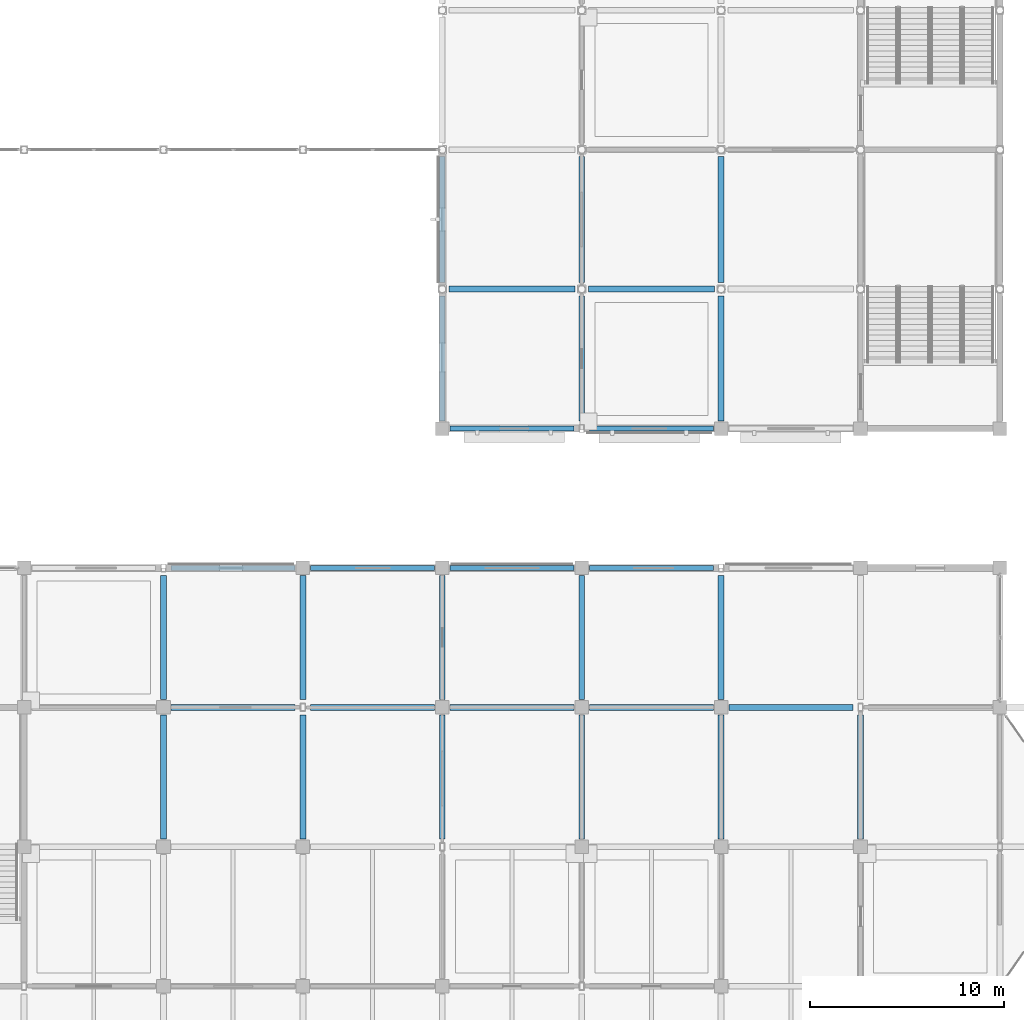
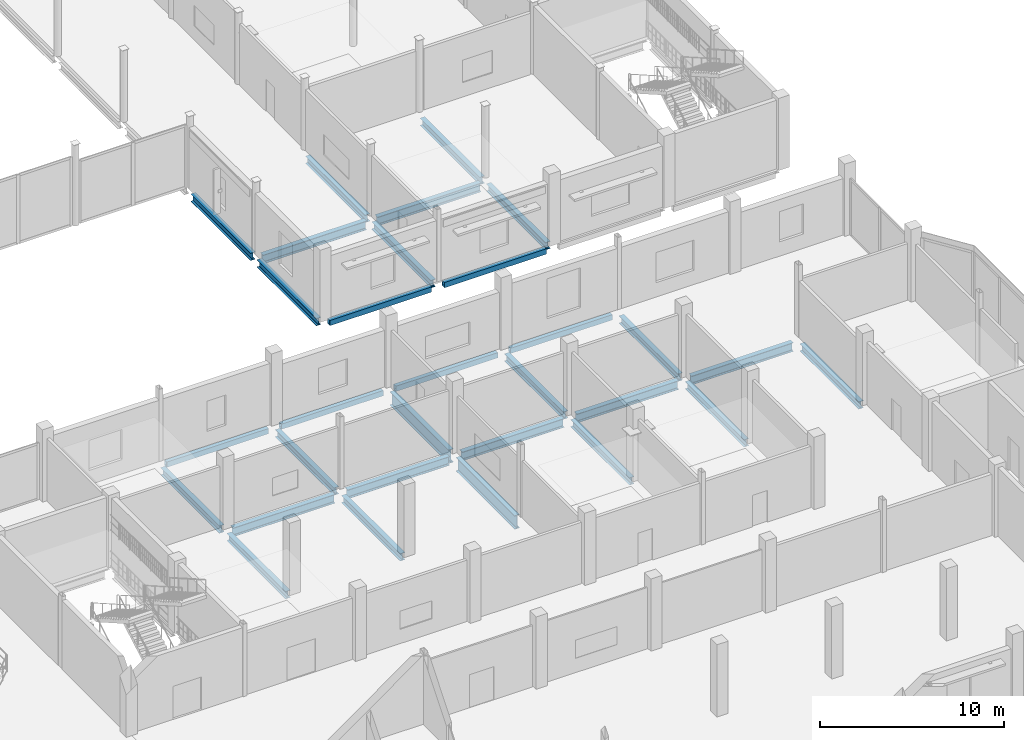
# One storey, part 71 of 120: 30 beams.
"""IFC4 building model written with IfcOpenShell, lengths in metres."""

from ifc_helpers import new_model, si_unit, direction, frame, origin, origin_2d, place, context, subcontext, project, spatial, hollow_rectangle, i_section, extrude, material, material_profile, profile_set, type_object, element, save


model = new_model("IFC4")

# Units and contexts
model_context = context("Model", 3, precision=1e-05, world=origin(), true_north=direction((0.0, 1.0)))
body_context = subcontext(model_context, "Body", "Model", "MODEL_VIEW")
ifc_project = project(units=[si_unit("LENGTHUNIT", "METRE"), si_unit("AREAUNIT", "SQUARE_METRE"), si_unit("VOLUMEUNIT", "CUBIC_METRE"), si_unit("PLANEANGLEUNIT", "RADIAN"), si_unit("MASSUNIT", "GRAM", prefix="KILO")], contexts=[model_context])

# Site, building, storey
site_placement = place(None, origin())
site = spatial("IfcSite", under=ifc_project, at=site_placement, CompositionType="ELEMENT")
building_placement = place(site_placement, origin())
building = spatial("IfcBuilding", under=site, at=building_placement, Name="Vesperath Aquatics Centre", CompositionType="ELEMENT")
storey_placement = place(building_placement, frame((0.0, 0.0, 10.199951171875)))
storey = spatial("IfcBuildingStorey", under=building, at=storey_placement, Name="L02", CompositionType="ELEMENT", Elevation=10.199951171875)

# Beams
ifc_material_1 = material(Name="Steel Q355D", Category="steel")
ifc_material_profile_1 = material_profile(ifc_material_1, i_section(OverallWidth=0.300048828125, OverallDepth=0.89990234375, WebThickness=0.01611328125, FlangeThickness=0.028076171875, FilletRadius=0.028076171875, at=origin_2d()), Name="HN 900x300x16x28")
ifc_profile_set_1 = profile_set([ifc_material_profile_1], Name="Steel Q355D")
beam_type_1 = type_object("IfcBeamType", Name="BM-G06", PredefinedType="BEAM", material=ifc_profile_set_1)
for number, where, z_axis, x_axis, name in (
    (1, (144.0, 29.199951171875, -0.7099609375), (0.0, 1.0, 0.0), (-1.0, 0.0, 0.0), "Floor Girder B06 L02 21 E-F"),
    (2, (144.0, 36.39990234375, -0.7099609375), (0.0, 1.0, 0.0), (-1.0, 0.0, 0.0), "Floor Girder B06 L02 21 F-G"),
):
    element("IfcBeam", number, at=place(storey_placement, frame(where, z_axis=z_axis, x_axis=x_axis)), inside=storey, type_object=beam_type_1, Name=name, PredefinedType="BEAM", context=body_context, shape_type="SweptSolid", body=[
        extrude(i_section(OverallWidth=0.300048828125, OverallDepth=0.89990234375, WebThickness=0.01611328125, FlangeThickness=0.028076171875, FilletRadius=0.028076171875, at=origin_2d()), origin(), (0.0, 0.0, 1.0), 6.400146484375),
    ])
ifc_material_2 = material(Name="Steel Q355C", Category="steel")
ifc_material_profile_2 = material_profile(ifc_material_2, i_section(OverallWidth=0.300048828125, OverallDepth=0.587890625, WebThickness=0.011962890625, FlangeThickness=0.02001953125, FilletRadius=0.028076171875, at=origin_2d()), Name="HM 588x300x12x20")
ifc_profile_set_2 = profile_set([ifc_material_profile_2], Name="Steel Q355C")
beam_type_2 = type_object("IfcBeamType", Name="BM-G09", PredefinedType="BEAM", material=ifc_profile_set_2)
beam_1_placement = place(storey_placement, frame((130.0, 36.0, -0.553955078125), z_axis=(1.0, 0.0, 0.0), x_axis=(0.0, 1.0, 0.0)))
element("IfcBeam", 3, at=beam_1_placement, inside=storey, type_object=beam_type_2, Name="Floor Girder B09 L02 F 19-20", PredefinedType="BEAM", context=body_context, shape_type="SweptSolid", body=[
    extrude(i_section(OverallWidth=0.300048828125, OverallDepth=0.587890625, WebThickness=0.011962890625, FlangeThickness=0.02001953125, FilletRadius=0.028076171875, at=origin_2d()), origin(), (0.0, 0.0, 1.0), 6.39990234375),
])
for number, where, z_axis, x_axis, name in (
    (4, (137.199951171875, 36.0, -0.553955078125), (1.0, 0.0, 0.0), (0.0, 1.0, 0.0), "Floor Girder B09 L02 F 20-21"),
    (5, (144.39990234375, 36.0, -0.553955078125), (1.0, 0.0, 0.0), (0.0, 1.0, 0.0), "Floor Girder B09 L02 F 21-22"),
):
    element("IfcBeam", number, at=place(storey_placement, frame(where, z_axis=z_axis, x_axis=x_axis)), inside=storey, type_object=beam_type_2, Name=name, PredefinedType="BEAM", context=body_context, shape_type="SweptSolid", body=[
        extrude(i_section(OverallWidth=0.300048828125, OverallDepth=0.587890625, WebThickness=0.011962890625, FlangeThickness=0.02001953125, FilletRadius=0.028076171875, at=origin_2d()), origin(), (0.0, 0.0, 1.0), 6.400146484375),
    ])
beam_2_placement = place(storey_placement, frame((144.35009765625, 57.60009765625, -0.553955078125), z_axis=(1.0, 0.0, 0.0), x_axis=(0.0, 1.0, 0.0)))
element("IfcBeam", 6, at=beam_2_placement, inside=storey, type_object=beam_type_2, Name="Floor Girder B09 L02 J 21-22", PredefinedType="BEAM", context=body_context, shape_type="SweptSolid", body=[
    extrude(i_section(OverallWidth=0.300048828125, OverallDepth=0.587890625, WebThickness=0.011962890625, FlangeThickness=0.02001953125, FilletRadius=0.028076171875, at=origin_2d()), origin(), (0.0, 0.0, 1.0), 6.5),
])
beam_3_placement = place(storey_placement, frame((151.60009765625, 36.0, -0.553955078125), z_axis=(1.0, 0.0, 0.0), x_axis=(0.0, 1.0, 0.0)))
element("IfcBeam", 7, at=beam_3_placement, inside=storey, type_object=beam_type_2, Name="Floor Girder B09 L02 F 22-23", PredefinedType="BEAM", context=body_context, shape_type="SweptSolid", body=[
    extrude(i_section(OverallWidth=0.300048828125, OverallDepth=0.587890625, WebThickness=0.011962890625, FlangeThickness=0.02001953125, FilletRadius=0.028076171875, at=origin_2d()), origin(), (0.0, 0.0, 1.0), 6.39990234375),
])
beam_4_placement = place(storey_placement, frame((151.550048828125, 57.60009765625, -0.553955078125), z_axis=(1.0, 0.0, 0.0), x_axis=(0.0, 1.0, 0.0)))
element("IfcBeam", 8, at=beam_4_placement, inside=storey, type_object=beam_type_2, Name="Floor Girder B09 L02 J 22-23", PredefinedType="BEAM", context=body_context, shape_type="SweptSolid", body=[
    extrude(i_section(OverallWidth=0.300048828125, OverallDepth=0.587890625, WebThickness=0.011962890625, FlangeThickness=0.02001953125, FilletRadius=0.028076171875, at=origin_2d()), origin(), (0.0, 0.0, 1.0), 6.5),
])
beam_5_placement = place(storey_placement, frame((158.800048828125, 36.0, -0.553955078125), z_axis=(1.0, 0.0, 0.0), x_axis=(0.0, 1.0, 0.0)))
element("IfcBeam", 9, at=beam_5_placement, inside=storey, type_object=beam_type_2, Name="Floor Girder B09 L02 F 23-24", PredefinedType="BEAM", context=body_context, shape_type="SweptSolid", body=[
    extrude(i_section(OverallWidth=0.300048828125, OverallDepth=0.587890625, WebThickness=0.011962890625, FlangeThickness=0.02001953125, FilletRadius=0.028076171875, at=origin_2d()), origin(), (0.0, 0.0, 1.0), 6.39990234375),
])
ifc_material_profile_3 = material_profile(ifc_material_2, i_section(OverallWidth=0.300048828125, OverallDepth=0.488037109375, WebThickness=0.010986328125, FlangeThickness=0.01806640625, FilletRadius=0.02587890625, at=origin_2d()), Name="HM 488x300x11x18")
ifc_profile_set_3 = profile_set([ifc_material_profile_3], Name="Steel Q355C")
beam_type_3 = type_object("IfcBeamType", Name="BM-G10", PredefinedType="BEAM", material=ifc_profile_set_3)
for number, where, z_axis, x_axis, name in (
    (10, (129.60009765625, 29.199951171875, -0.50390625), (0.0, 1.0, 0.0), (-1.0, 0.0, 0.0), "Floor Girder B10 L02 19 E-F"),
    (11, (129.60009765625, 36.39990234375, -0.50390625), (0.0, 1.0, 0.0), (-1.0, 0.0, 0.0), "Floor Girder B10 L02 19 F-G"),
    (12, (136.800048828125, 29.199951171875, -0.50390625), (0.0, 1.0, 0.0), (-1.0, 0.0, 0.0), "Floor Girder B10 L02 20 E-F"),
    (13, (136.800048828125, 36.39990234375, -0.50390625), (0.0, 1.0, 0.0), (-1.0, 0.0, 0.0), "Floor Girder B10 L02 20 F-G"),
):
    element("IfcBeam", number, at=place(storey_placement, frame(where, z_axis=z_axis, x_axis=x_axis)), inside=storey, type_object=beam_type_3, Name=name, PredefinedType="BEAM", context=body_context, shape_type="SweptSolid", body=[
        extrude(i_section(OverallWidth=0.300048828125, OverallDepth=0.488037109375, WebThickness=0.010986328125, FlangeThickness=0.01806640625, FilletRadius=0.02587890625, at=origin_2d()), origin(), (0.0, 0.0, 1.0), 6.400146484375),
    ])
beam_6_placement = place(storey_placement, frame((144.0, 50.800048828125, -0.50390625), z_axis=(0.0, 1.0, 0.0), x_axis=(-1.0, 0.0, 0.0)))
element("IfcBeam", 14, at=beam_6_placement, inside=storey, type_object=beam_type_3, Name="Floor Girder B10 L02 21 H-J", PredefinedType="BEAM", context=body_context, shape_type="SweptSolid", body=[
    extrude(i_section(OverallWidth=0.300048828125, OverallDepth=0.488037109375, WebThickness=0.010986328125, FlangeThickness=0.01806640625, FilletRadius=0.02587890625, at=origin_2d()), origin(), (0.0, 0.0, 1.0), 6.449951171875),
])
beam_7_placement = place(storey_placement, frame((144.0, 57.949951171875, -0.50390625), z_axis=(0.0, 1.0, 0.0), x_axis=(-1.0, 0.0, 0.0)))
element("IfcBeam", 15, at=beam_7_placement, inside=storey, type_object=beam_type_3, Name="Floor Girder B10 L02 21 J-K", PredefinedType="BEAM", context=body_context, shape_type="SweptSolid", body=[
    extrude(i_section(OverallWidth=0.300048828125, OverallDepth=0.488037109375, WebThickness=0.010986328125, FlangeThickness=0.01806640625, FilletRadius=0.02587890625, at=origin_2d()), origin(), (0.0, 0.0, 1.0), 6.5),
])
for number, where, z_axis, x_axis, name in (
    (16, (151.199951171875, 29.199951171875, -0.50390625), (0.0, 1.0, 0.0), (-1.0, 0.0, 0.0), "Floor Girder B10 L02 22 E-F"),
    (17, (151.199951171875, 36.39990234375, -0.50390625), (0.0, 1.0, 0.0), (-1.0, 0.0, 0.0), "Floor Girder B10 L02 22 F-G"),
):
    element("IfcBeam", number, at=place(storey_placement, frame(where, z_axis=z_axis, x_axis=x_axis)), inside=storey, type_object=beam_type_3, Name=name, PredefinedType="BEAM", context=body_context, shape_type="SweptSolid", body=[
        extrude(i_section(OverallWidth=0.300048828125, OverallDepth=0.488037109375, WebThickness=0.010986328125, FlangeThickness=0.01806640625, FilletRadius=0.02587890625, at=origin_2d()), origin(), (0.0, 0.0, 1.0), 6.400146484375),
    ])
beam_8_placement = place(storey_placement, frame((151.199951171875, 50.800048828125, -0.50390625), z_axis=(0.0, 1.0, 0.0), x_axis=(-1.0, 0.0, 0.0)))
element("IfcBeam", 18, at=beam_8_placement, inside=storey, type_object=beam_type_3, Name="Floor Girder B10 L02 22 H-J", PredefinedType="BEAM", context=body_context, shape_type="SweptSolid", body=[
    extrude(i_section(OverallWidth=0.300048828125, OverallDepth=0.488037109375, WebThickness=0.010986328125, FlangeThickness=0.01806640625, FilletRadius=0.02587890625, at=origin_2d()), origin(), (0.0, 0.0, 1.0), 6.449951171875),
])
beam_9_placement = place(storey_placement, frame((151.199951171875, 57.949951171875, -0.50390625), z_axis=(0.0, 1.0, 0.0), x_axis=(-1.0, 0.0, 0.0)))
element("IfcBeam", 19, at=beam_9_placement, inside=storey, type_object=beam_type_3, Name="Floor Girder B10 L02 22 J-K", PredefinedType="BEAM", context=body_context, shape_type="SweptSolid", body=[
    extrude(i_section(OverallWidth=0.300048828125, OverallDepth=0.488037109375, WebThickness=0.010986328125, FlangeThickness=0.01806640625, FilletRadius=0.02587890625, at=origin_2d()), origin(), (0.0, 0.0, 1.0), 6.5),
])
for number, where, z_axis, x_axis, name in (
    (20, (158.39990234375, 29.199951171875, -0.50390625), (0.0, 1.0, 0.0), (-1.0, 0.0, 0.0), "Floor Girder B10 L02 23 E-F"),
    (21, (158.39990234375, 36.39990234375, -0.50390625), (0.0, 1.0, 0.0), (-1.0, 0.0, 0.0), "Floor Girder B10 L02 23 F-G"),
):
    element("IfcBeam", number, at=place(storey_placement, frame(where, z_axis=z_axis, x_axis=x_axis)), inside=storey, type_object=beam_type_3, Name=name, PredefinedType="BEAM", context=body_context, shape_type="SweptSolid", body=[
        extrude(i_section(OverallWidth=0.300048828125, OverallDepth=0.488037109375, WebThickness=0.010986328125, FlangeThickness=0.01806640625, FilletRadius=0.02587890625, at=origin_2d()), origin(), (0.0, 0.0, 1.0), 6.400146484375),
    ])
beam_10_placement = place(storey_placement, frame((158.39990234375, 50.800048828125, -0.50390625), z_axis=(0.0, 1.0, 0.0), x_axis=(-1.0, 0.0, 0.0)))
element("IfcBeam", 22, at=beam_10_placement, inside=storey, type_object=beam_type_3, Name="Floor Girder B10 L02 23 H-J", PredefinedType="BEAM", context=body_context, shape_type="SweptSolid", body=[
    extrude(i_section(OverallWidth=0.300048828125, OverallDepth=0.488037109375, WebThickness=0.010986328125, FlangeThickness=0.01806640625, FilletRadius=0.02587890625, at=origin_2d()), origin(), (0.0, 0.0, 1.0), 6.449951171875),
])
beam_11_placement = place(storey_placement, frame((158.39990234375, 57.949951171875, -0.50390625), z_axis=(0.0, 1.0, 0.0), x_axis=(-1.0, 0.0, 0.0)))
element("IfcBeam", 23, at=beam_11_placement, inside=storey, type_object=beam_type_3, Name="Floor Girder B10 L02 23 J-K", PredefinedType="BEAM", context=body_context, shape_type="SweptSolid", body=[
    extrude(i_section(OverallWidth=0.300048828125, OverallDepth=0.488037109375, WebThickness=0.010986328125, FlangeThickness=0.01806640625, FilletRadius=0.02587890625, at=origin_2d()), origin(), (0.0, 0.0, 1.0), 6.5),
])
beam_12_placement = place(storey_placement, frame((165.60009765625, 29.199951171875, -0.50390625), z_axis=(0.0, 1.0, 0.0), x_axis=(-1.0, 0.0, 0.0)))
element("IfcBeam", 24, at=beam_12_placement, inside=storey, type_object=beam_type_3, Name="Floor Girder B10 L02 24 E-F", PredefinedType="BEAM", context=body_context, shape_type="SweptSolid", body=[
    extrude(i_section(OverallWidth=0.300048828125, OverallDepth=0.488037109375, WebThickness=0.010986328125, FlangeThickness=0.01806640625, FilletRadius=0.02587890625, at=origin_2d()), origin(), (0.0, 0.0, 1.0), 6.400146484375),
])
ifc_material_profile_4 = material_profile(ifc_material_1, hollow_rectangle(XDim=0.25, YDim=0.35009765625, WallThickness=0.011962890625, at=origin_2d()), Name="RHS 350x250x12")
ifc_profile_set_4 = profile_set([ifc_material_profile_4], Name="Steel Q355D")
beam_type_4 = type_object("IfcBeamType", Name="BM-SP02", PredefinedType="SPANDREL", material=ifc_profile_set_4)
beam_13_placement = place(storey_placement, frame((130.0, 43.199951171875, -0.43505859375), z_axis=(1.0, 0.0, 0.0), x_axis=(0.0, 1.0, 0.0)))
element("IfcBeam", 25, at=beam_13_placement, inside=storey, type_object=beam_type_4, Name="Floor Girder SP02 L02 G 19-20", PredefinedType="SPANDREL", context=body_context, shape_type="SweptSolid", body=[
    extrude(hollow_rectangle(XDim=0.25, YDim=0.35009765625, WallThickness=0.011962890625, at=origin_2d()), origin(), (0.0, 0.0, 1.0), 6.39990234375),
])
for number, where, z_axis, x_axis, name in (
    (26, (137.199951171875, 43.199951171875, -0.43505859375), (1.0, 0.0, 0.0), (0.0, 1.0, 0.0), "Floor Girder SP02 L02 G 20-21"),
    (27, (144.39990234375, 43.199951171875, -0.43505859375), (1.0, 0.0, 0.0), (0.0, 1.0, 0.0), "Floor Girder SP02 L02 G 21-22"),
    (28, (144.39990234375, 50.39990234375, -0.43505859375), (1.0, 0.0, 0.0), (0.0, 1.0, 0.0), "Floor Girder SP02 L02 H 21-22"),
):
    element("IfcBeam", number, at=place(storey_placement, frame(where, z_axis=z_axis, x_axis=x_axis)), inside=storey, type_object=beam_type_4, Name=name, PredefinedType="SPANDREL", context=body_context, shape_type="SweptSolid", body=[
        extrude(hollow_rectangle(XDim=0.25, YDim=0.35009765625, WallThickness=0.011962890625, at=origin_2d()), origin(), (0.0, 0.0, 1.0), 6.400146484375),
    ])
for number, where, z_axis, x_axis, name in (
    (29, (151.60009765625, 43.199951171875, -0.43505859375), (1.0, 0.0, 0.0), (0.0, 1.0, 0.0), "Floor Girder SP02 L02 G 22-23"),
    (30, (151.60009765625, 50.39990234375, -0.43505859375), (1.0, 0.0, 0.0), (0.0, 1.0, 0.0), "Floor Girder SP02 L02 H 22-23"),
):
    element("IfcBeam", number, at=place(storey_placement, frame(where, z_axis=z_axis, x_axis=x_axis)), inside=storey, type_object=beam_type_4, Name=name, PredefinedType="SPANDREL", context=body_context, shape_type="SweptSolid", body=[
        extrude(hollow_rectangle(XDim=0.25, YDim=0.35009765625, WallThickness=0.011962890625, at=origin_2d()), origin(), (0.0, 0.0, 1.0), 6.39990234375),
    ])

save(model, "model.ifc")
